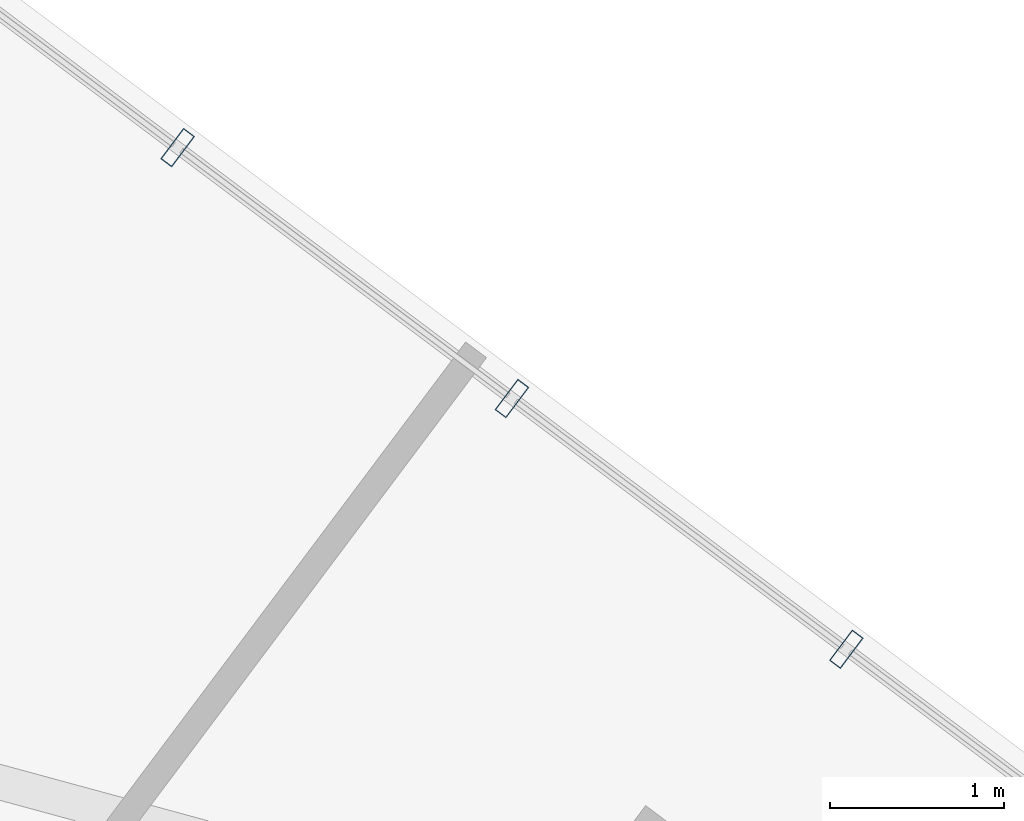
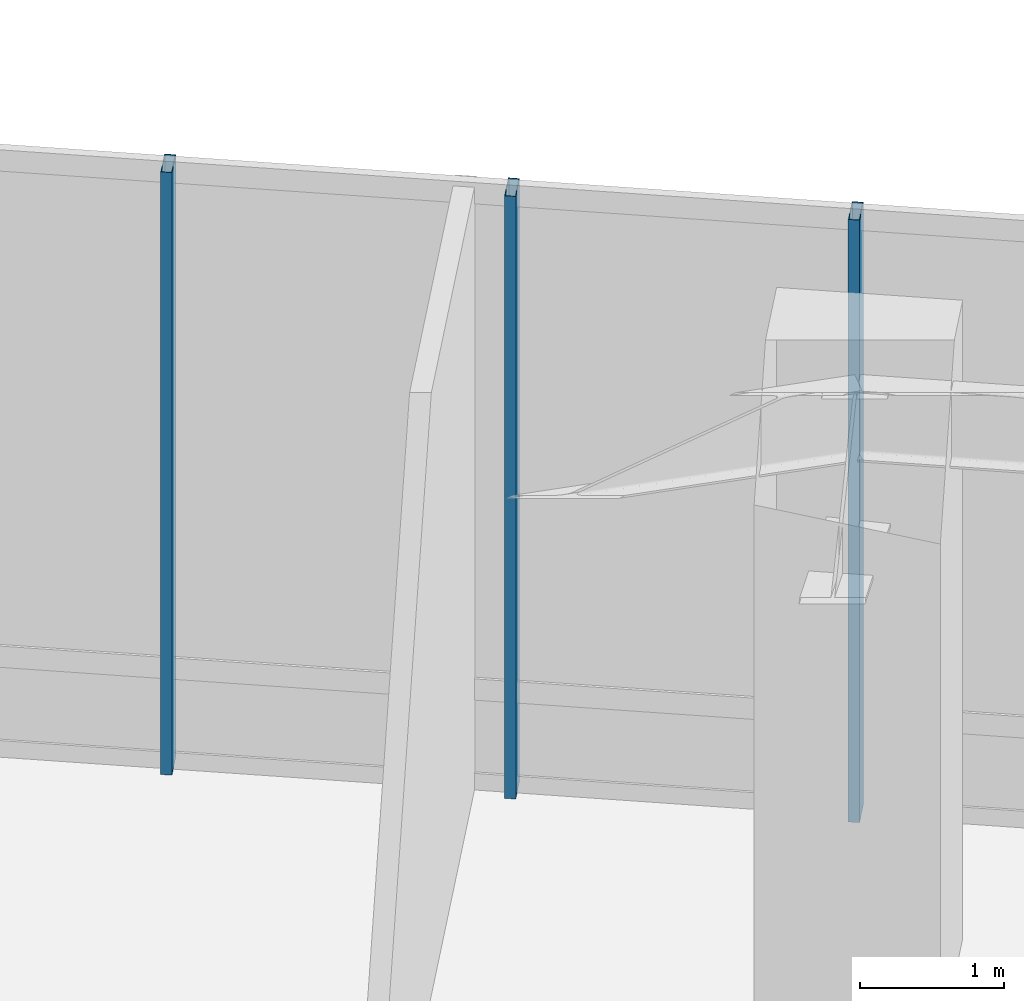
# One storey, part 21 of 35: 3 members, 1 element without a shape of its own.
"""IFC4 building model written with IfcOpenShell, lengths in metres."""

from ifc_helpers import new_model, si_unit, direction, frame, origin, origin_2d, place, context, subcontext, project, spatial, hollow_rectangle, extrude, material, layer, layer_set, material_profile, profile_set, type_object, element, aggregate, save


model = new_model("IFC4")

# Units and contexts
model_context = context("Model", 3, precision=1e-05, world=origin(), true_north=direction((0.0, 1.0)))
body_context = subcontext(model_context, "Body", "Model", "MODEL_VIEW")
ifc_project = project(units=[si_unit("LENGTHUNIT", "METRE"), si_unit("AREAUNIT", "SQUARE_METRE"), si_unit("VOLUMEUNIT", "CUBIC_METRE"), si_unit("PLANEANGLEUNIT", "RADIAN"), si_unit("MASSUNIT", "GRAM", prefix="KILO")], contexts=[model_context])

# Site, building, storey
site_placement = place(None, origin())
site = spatial("IfcSite", under=ifc_project, at=site_placement, CompositionType="ELEMENT")
building_placement = place(site_placement, origin())
building = spatial("IfcBuilding", under=site, at=building_placement, Name="Hatsunagi Terrace Concourse", CompositionType="ELEMENT")
storey_placement = place(building_placement, frame((0.0, 0.0, 5.39990234375)))
storey = spatial("IfcBuildingStorey", under=building, at=storey_placement, Name="L02", CompositionType="ELEMENT", Elevation=5.39990234375)

# Curtain wall, members
ifc_material_1 = material(Name="Anodised Aluminium Alloy 6063-T5", Category="aluminium")
ifc_layer = layer(ifc_material_1, 0.199951171875)
ifc_layer_set = layer_set([ifc_layer], Name="PodiumStorefront_CW01")
curtain_wall_type = type_object("IfcCurtainWallType", Name="PodiumStorefront_CW01", PredefinedType="NOTDEFINED", material=ifc_layer_set)
curtain_wall_placement = place(storey_placement, origin())
curtain_wall = element("IfcCurtainWall", 1, at=curtain_wall_placement, inside=storey, type_object=curtain_wall_type, Name="Unitised Curtain Wall CW-01 CW-L02-01", PredefinedType="NOTDEFINED")
ifc_material_2 = material(Name="Anodised Aluminium Alloy 6063-T5", Category="aluminium")
ifc_material_profile = material_profile(ifc_material_2, hollow_rectangle(XDim=0.080078125, YDim=0.219970703125, WallThickness=0.0048828125, at=origin_2d()), Name="ALU-MUL-220x80x5")
ifc_profile_set = profile_set([ifc_material_profile], Name="Anodised Aluminium Alloy 6063-T5")
member_type = type_object("IfcMemberType", Name="CurtainWallMullion_Heavy_220x80", PredefinedType="MULLION", material=ifc_profile_set)
member_1_placement = place(storey_placement, frame((48.701904296875, 37.84912109375, 0.0), z_axis=(0.0, 0.0, 1.0), x_axis=(0.800007305671, -0.599990258982, 0.0)))
member_1 = element("IfcMember", 2, at=member_1_placement, type_object=member_type, Name="Curtain Wall Mullion MUL-01", PredefinedType="MULLION", context=body_context, shape_type="SweptSolid", body=[
    extrude(hollow_rectangle(XDim=0.080078125, YDim=0.219970703125, WallThickness=0.0048828125, at=origin_2d()), origin(), (0.0, 0.0, 1.0), 5.10009765625),
])
member_2_placement = place(storey_placement, frame((50.6220703125, 36.407958984375, 0.0), z_axis=(0.0, 0.0, 1.0), x_axis=(0.800007305671, -0.599990258982, 0.0)))
member_2 = element("IfcMember", 3, at=member_2_placement, type_object=member_type, Name="Curtain Wall Mullion MUL-01", PredefinedType="MULLION", context=body_context, shape_type="SweptSolid", body=[
    extrude(hollow_rectangle(XDim=0.080078125, YDim=0.219970703125, WallThickness=0.0048828125, at=origin_2d()), origin(), (0.0, 0.0, 1.0), 5.10009765625),
])
member_3_placement = place(storey_placement, frame((52.54296875, 34.968017578125, 0.0), z_axis=(0.0, 0.0, 1.0), x_axis=(0.800007305671, -0.599990258982, 0.0)))
member_3 = element("IfcMember", 4, at=member_3_placement, type_object=member_type, Name="Curtain Wall Mullion MUL-01", PredefinedType="MULLION", context=body_context, shape_type="SweptSolid", body=[
    extrude(hollow_rectangle(XDim=0.080078125, YDim=0.219970703125, WallThickness=0.0048828125, at=origin_2d()), origin(), (0.0, 0.0, 1.0), 5.10009765625),
])
aggregate(curtain_wall, [member_1, member_2, member_3])

save(model, "model.ifc")
